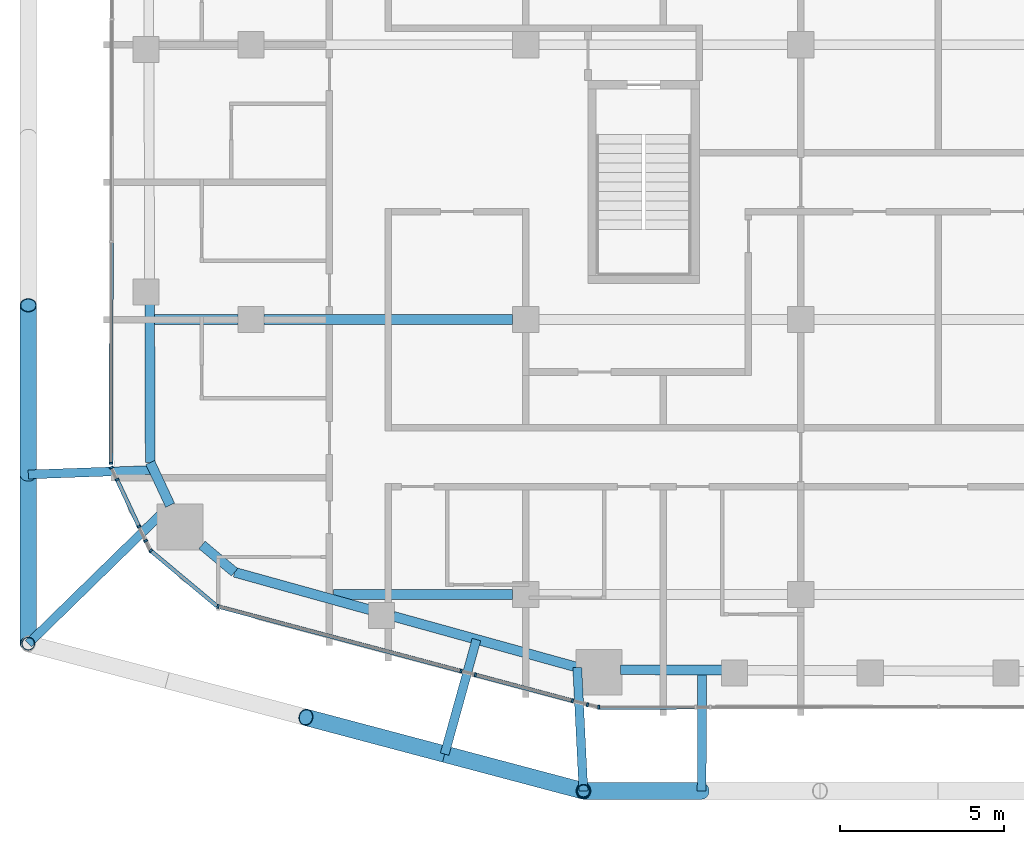
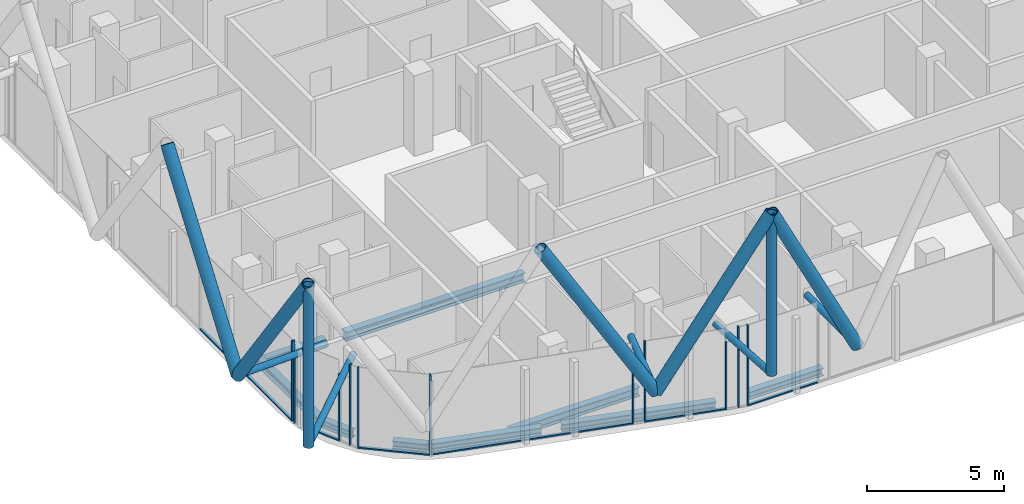
# One storey, part 2 of 31: 30 members, 9 beams, 12 elements without a shape of their own.
"""IFC4 building model written with IfcOpenShell, lengths in metres."""

import ifcopenshell
import ifcopenshell.guid

model = None  # the IFC model being written
_history = None  # IfcOwnerHistory: only IFC2X3 demands one
_inside = {}  # id of a spatial element -> (the spatial element, [elements in it])
_under = {}  # id of a project, library or spatial element -> (it, [spatial elements below it])
_declared = {}  # id of a project -> (the project, [libraries it declares])
_typed = {}  # id of a type object -> (the type object, [elements of that type])
_made_of = {}  # id of a material, layer set ... -> (it, [elements and type objects made of it])


def new_model(schema):
    """Start an empty IFC model of exactly this schema.

    Asked for "IFC4X3", IfcOpenShell would pick the latest addendum, in which some entities
    have other attributes; the version numbers below select the first issue.
    IFC2X3 requires an IfcOwnerHistory on every rooted entity: one is made here for all.
    """
    global model, _history
    if schema == "IFC4X3":
        model = ifcopenshell.file(schema_version=(4, 3, 0, 0))
    else:
        model = ifcopenshell.file(schema=schema)
    _inside.clear()
    _under.clear()
    _declared.clear()
    _typed.clear()
    _made_of.clear()
    _history = None
    if model.schema == "IFC2X3":
        org = make("IfcOrganization", Name="unknown")
        user = make(
            "IfcPersonAndOrganization",
            ThePerson=make("IfcPerson", FamilyName="unknown"),
            TheOrganization=org,
        )
        app = make(
            "IfcApplication",
            ApplicationDeveloper=org,
            Version="unknown",
            ApplicationFullName="unknown",
            ApplicationIdentifier="unknown",
        )
        _history = make(
            "IfcOwnerHistory",
            OwningUser=user,
            OwningApplication=app,
            ChangeAction="ADDED",
            CreationDate=0,
        )
    return model


def make(cls, **values):
    """One entity of the class cls with the attributes given. An attribute that is None is left unset."""
    return model.create_entity(
        cls, **{name: value for name, value in values.items() if value is not None}
    )


def rooted(cls, **values):
    """An entity with a GlobalId (a new one), such as an element, a storey or a relation."""
    return make(cls, GlobalId=ifcopenshell.guid.new(), OwnerHistory=_history, **values)


def si_unit(unit_type, name, prefix=None):
    """IfcSIUnit, for example si_unit("LENGTHUNIT", "METRE", prefix="MILLI")."""
    return make("IfcSIUnit", UnitType=unit_type, Prefix=prefix, Name=name)


def assignment(units):
    """IfcUnitAssignment: the units of a project."""
    return None if units is None else make("IfcUnitAssignment", Units=units)


def point(xyz):
    """IfcCartesianPoint."""
    return None if xyz is None else make("IfcCartesianPoint", Coordinates=xyz)


def direction(xyz):
    """IfcDirection."""
    return None if xyz is None else make("IfcDirection", DirectionRatios=xyz)


def frame(location, z_axis=None, x_axis=None):
    """IfcAxis2Placement3D, a coordinate frame: its origin and axes. An axis left out is left unset."""
    return make(
        "IfcAxis2Placement3D",
        Location=point(location),
        Axis=direction(z_axis),
        RefDirection=direction(x_axis),
    )


def frame_2d(location, x_axis=None):
    """IfcAxis2Placement2D, a coordinate frame in the plane: its origin and x axis."""
    return make(
        "IfcAxis2Placement2D", Location=point(location), RefDirection=direction(x_axis)
    )


def origin():
    """The frame at (0, 0, 0) with its axes left unset."""
    return frame((0.0, 0.0, 0.0))


def origin_2d():
    """The frame at (0, 0) in the plane with its x axis left unset."""
    return frame_2d((0.0, 0.0))


def place(relative_to, where):
    """IfcLocalPlacement: puts the frame where relative to a parent placement (None: the world)."""
    return make(
        "IfcLocalPlacement", PlacementRelTo=relative_to, RelativePlacement=where
    )


def context(
    kind, dimensions, precision=None, world=None, true_north=None, identifier=None
):
    """IfcGeometricRepresentationContext, for example the 3D "Model" context."""
    return make(
        "IfcGeometricRepresentationContext",
        ContextIdentifier=identifier,
        ContextType=kind,
        CoordinateSpaceDimension=dimensions,
        Precision=precision,
        WorldCoordinateSystem=world,
        TrueNorth=true_north,
    )


def subcontext(parent, identifier, kind, view, scale=None):
    """IfcGeometricRepresentationSubContext, for example "Body" below "Model"."""
    return make(
        "IfcGeometricRepresentationSubContext",
        ContextIdentifier=identifier,
        ContextType=kind,
        ParentContext=parent,
        TargetScale=scale,
        TargetView=view,
    )


def project(units=None, contexts=None):
    """IfcProject with its units and contexts."""
    return rooted(
        "IfcProject",
        Name="project",
        RepresentationContexts=contexts,
        UnitsInContext=assignment(units),
    )


def spatial(cls, under=None, at=None, **own):
    """A site, building, storey or space (cls), placed at a placement, below another one or the project."""
    s = rooted(cls, ObjectPlacement=at, **own)
    if under is not None:
        _under.setdefault(under.id(), (under, []))[1].append(s)
    return s


def profile(cls, at=None, kind="AREA", **sizes):
    """A parametric profile (cls). Its sizes go by their IFC names, for example OverallWidth=200.0."""
    return make(cls, ProfileType=kind, Position=at, **sizes)


def rectangle(**sizes):
    """IfcRectangleProfileDef."""
    return profile("IfcRectangleProfileDef", **sizes)


def hollow_circle(**sizes):
    """IfcCircleHollowProfileDef."""
    return profile("IfcCircleHollowProfileDef", **sizes)


def i_section(**sizes):
    """IfcIShapeProfileDef."""
    return profile("IfcIShapeProfileDef", **sizes)


def extrude(swept, where, along, depth):
    """IfcExtrudedAreaSolid: the profile swept, set in the frame where, extruded along a direction by depth."""
    return make(
        "IfcExtrudedAreaSolid",
        SweptArea=swept,
        Position=where,
        ExtrudedDirection=direction(along),
        Depth=depth,
    )


def shape(context_of_items, identifier, shape_type, items):
    """IfcShapeRepresentation: the items that make up one representation, for example the "Body"."""
    return make(
        "IfcShapeRepresentation",
        ContextOfItems=context_of_items,
        RepresentationIdentifier=identifier,
        RepresentationType=shape_type,
        Items=items,
    )


def material(Name=None, Category=None):
    """IfcMaterial."""
    return make("IfcMaterial", Name=Name, Category=Category)


def layer(
    of_material, thickness, ventilated=None, Name=None, Category=None, Priority=None
):
    """IfcMaterialLayer: one layer of a wall or slab, of a material (None: an air gap)."""
    return make(
        "IfcMaterialLayer",
        Material=of_material,
        LayerThickness=thickness,
        IsVentilated=ventilated,
        Name=Name,
        Category=Category,
        Priority=Priority,
    )


def layer_set(layers, Name=None):
    """IfcMaterialLayerSet."""
    return make("IfcMaterialLayerSet", MaterialLayers=layers, LayerSetName=Name)


def material_profile(
    of_material, cross_section, Name=None, Category=None, Priority=None
):
    """IfcMaterialProfile: a cross section and its material."""
    return make(
        "IfcMaterialProfile",
        Name=Name,
        Material=of_material,
        Profile=cross_section,
        Priority=Priority,
        Category=Category,
    )


def profile_set(profiles, Name=None, composite=None):
    """IfcMaterialProfileSet."""
    return make(
        "IfcMaterialProfileSet",
        Name=Name,
        MaterialProfiles=profiles,
        CompositeProfile=composite,
    )


def made_of(thing, what):
    """Note that an element or type object is made of a material, layer set ...; save() writes the relation."""
    if what is not None:
        _made_of.setdefault(what.id(), (what, []))[1].append(thing)
    return thing


def type_object(cls, material=None, **own):
    """A type object (cls), such as IfcWallType, which elements share."""
    return made_of(rooted(cls, **own), material)


def element(
    cls,
    number,
    at=None,
    inside=None,
    cuts=None,
    type_object=None,
    material=None,
    context=None,
    identifier="Body",
    shape_type=None,
    held_by="IfcProductDefinitionShape",
    body=None,
    shapes=None,
    **own,
):
    """One element of the class cls, such as IfcWall. Its Tag is "e" and its number.

    at: its placement. inside: the storey or other place that contains it. cuts: it is an
    opening in that element (IfcRelVoidsElement). A single representation is given by context,
    identifier, shape_type and body (its items); several are given by shapes. held_by: the class
    of the entity that holds the representations. save() writes the other relations.
    """
    e = rooted(cls, Tag="e%d" % number, ObjectPlacement=at, **own)
    if body is not None:
        shapes = [shape(context, identifier, shape_type, body)]
    if shapes is not None:
        e.Representation = make(held_by, Representations=shapes)
    if inside is not None:
        _inside.setdefault(inside.id(), (inside, []))[1].append(e)
    if cuts is not None:
        rooted(
            "IfcRelVoidsElement", RelatingBuildingElement=cuts, RelatedOpeningElement=e
        )
    if type_object is not None:
        _typed.setdefault(type_object.id(), (type_object, []))[1].append(e)
    return made_of(e, material)


def aggregate(whole, parts):
    """IfcRelAggregates: a whole, such as a stair, and the parts it consists of."""
    return rooted("IfcRelAggregates", RelatingObject=whole, RelatedObjects=parts)


def save(model, path):
    """Write the relations noted so far, then the file.

    IfcRelAggregates (storeys below a building ...), IfcRelContainedInSpatialStructure (elements
    in a storey), IfcRelDefinesByType, IfcRelAssociatesMaterial and IfcRelDeclares: one each for
    every whole, place, type object, material and project.
    """
    for whole, parts in _under.values():
        aggregate(whole, parts)
    for where, things in _inside.values():
        rooted(
            "IfcRelContainedInSpatialStructure",
            RelatedElements=things,
            RelatingStructure=where,
        )
    for kind, things in _typed.values():
        rooted("IfcRelDefinesByType", RelatedObjects=things, RelatingType=kind)
    for what, things in _made_of.values():
        rooted("IfcRelAssociatesMaterial", RelatedObjects=things, RelatingMaterial=what)
    for by, libraries in _declared.values():
        rooted("IfcRelDeclares", RelatingContext=by, RelatedDefinitions=libraries)
    model.write(path)


model = new_model("IFC4")

# Units and contexts
model_context = context("Model", 3, precision=1e-05, world=origin(), true_north=direction((0.0, 1.0)))
body_context = subcontext(model_context, "Body", "Model", "MODEL_VIEW")
ifc_project = project(units=[si_unit("LENGTHUNIT", "METRE"), si_unit("AREAUNIT", "SQUARE_METRE"), si_unit("VOLUMEUNIT", "CUBIC_METRE"), si_unit("PLANEANGLEUNIT", "RADIAN"), si_unit("MASSUNIT", "GRAM", prefix="KILO")], contexts=[model_context])

# Site, building, storey
site_placement = place(None, origin())
site = spatial("IfcSite", under=ifc_project, at=site_placement, CompositionType="ELEMENT")
building_placement = place(site_placement, origin())
building = spatial("IfcBuilding", under=site, at=building_placement, Name="Marenta Gate Hotel Tower", CompositionType="ELEMENT")
storey_placement = place(building_placement, frame((0.0, 0.0, 191.300048828125)))
storey = spatial("IfcBuildingStorey", under=building, at=storey_placement, Name="L43", CompositionType="ELEMENT", Elevation=191.300048828125)

# Members
ifc_material_1 = material(Name="Steel S355J2W", Category="steel")
ifc_material_profile_1 = material_profile(ifc_material_1, hollow_circle(Radius=0.203125, WallThickness=0.02490234375, at=origin_2d()), Name="CHS 406.4x25")
ifc_profile_set_1 = profile_set([ifc_material_profile_1], Name="Steel S355J2W")
member_type_1 = type_object("IfcMemberType", Name="Diagrid corner post Z3 CHS 406.4x25", PredefinedType="POST", material=ifc_profile_set_1)
for number, where, z_axis, x_axis, name in (
    (1, (-10.839111328125, -31.199951171875, 3.139892578125), (0.0, 0.0, 1.0), (1.0, 0.0, 0.0), "L43-DR-4"),
    (2, (-27.800048828125, -26.7001953125, 3.139892578125), (0.0, 0.0, 1.0), (1.0, 0.0, 0.0), "L43-DR-5"),
):
    element("IfcMember", number, at=place(storey_placement, frame(where, z_axis=z_axis, x_axis=x_axis)), inside=storey, type_object=member_type_1, Name=name, PredefinedType="POST", context=body_context, shape_type="SweptSolid", body=[
        extrude(hollow_circle(Radius=0.203125, WallThickness=0.02490234375, at=origin_2d()), origin(), (0.0, 0.0, 1.0), 7.199951171875),
    ])
ifc_material_2 = material(Name="Steel S355J2W", Category="steel")
ifc_material_profile_2 = material_profile(ifc_material_2, hollow_circle(Radius=0.25390625, WallThickness=0.02490234375, at=origin_2d()), Name="CHS 508x25")
ifc_profile_set_2 = profile_set([ifc_material_profile_2], Name="Steel S355J2W")
member_type_2 = type_object("IfcMemberType", Name="Diagrid diagonal Z3 CHS 508x25", PredefinedType="BRACE", material=ifc_profile_set_2)
member_1_placement = place(storey_placement, frame((-7.22607421875, -31.199951171875, 3.139892578125), z_axis=(-0.44851025603, 0.0, 0.893777685018), x_axis=(0.0, -1.0, 0.0)))
element("IfcMember", 3, at=member_1_placement, inside=storey, type_object=member_type_2, Name="L43-DG-20", PredefinedType="BRACE", context=body_context, shape_type="SweptSolid", body=[
    extrude(hollow_circle(Radius=0.25390625, WallThickness=0.02490234375, at=origin_2d()), origin(), (0.0, 0.0, 1.0), 8.0556640625),
])
for number, where, z_axis, x_axis, name in (
    (4, (-15.079345703125, -30.074951171875, 3.139892578125), (0.502924018666, -0.133433548941, 0.853968921838), (0.256443187528, 0.96655930577, 0.0), "L43-DG-21"),
    (5, (-15.079345703125, -30.074951171875, 3.139892578125), (-0.502925961678, 0.133405107407, 0.853972221087), (-0.256391194513, -0.966573098827, 0.0), "L43-DG-22"),
):
    element("IfcMember", number, at=place(storey_placement, frame(where, z_axis=z_axis, x_axis=x_axis)), inside=storey, type_object=member_type_2, Name=name, PredefinedType="BRACE", context=body_context, shape_type="SweptSolid", body=[
        extrude(hollow_circle(Radius=0.25390625, WallThickness=0.02490234375, at=origin_2d()), origin(), (0.0, 0.0, 1.0), 8.43115234375),
    ])
member_2_placement = place(storey_placement, frame((-27.800048828125, -21.530029296875, 3.139892578125), z_axis=(0.0, -0.583279014058, 0.812271870595), x_axis=(1.0, 0.0, 0.0)))
element("IfcMember", 6, at=member_2_placement, inside=storey, type_object=member_type_2, Name="L43-DG-25", PredefinedType="BRACE", context=body_context, shape_type="SweptSolid", body=[
    extrude(hollow_circle(Radius=0.25390625, WallThickness=0.02490234375, at=origin_2d()), origin(), (0.0, 0.0, 1.0), 8.864013671875),
])
member_3_placement = place(storey_placement, frame((-27.800048828125, -21.530029296875, 3.139892578125), z_axis=(0.0, 0.583260841117, 0.812284919975), x_axis=(-1.0, 0.0, 0.0)))
element("IfcMember", 7, at=member_3_placement, inside=storey, type_object=member_type_2, Name="L43-DG-26", PredefinedType="BRACE", context=body_context, shape_type="SweptSolid", body=[
    extrude(hollow_circle(Radius=0.25390625, WallThickness=0.02490234375, at=origin_2d()), origin(), (0.0, 0.0, 1.0), 8.86376953125),
])

# Beams
ifc_material_3 = material(Name="Steel S355", Category="steel")
ifc_material_profile_3 = material_profile(ifc_material_3, i_section(OverallWidth=0.300048828125, OverallDepth=0.340087890625, WebThickness=0.011962890625, FlangeThickness=0.021484375, FilletRadius=0.027099609375, at=origin_2d()), Name="HEB 340")
ifc_profile_set_3 = profile_set([ifc_material_profile_3], Name="Steel S355")
beam_type_1 = type_object("IfcBeamType", Name="Edge beam HEB 340", PredefinedType="SPANDREL", material=ifc_profile_set_3)
beam_1_placement = place(storey_placement, frame((-11.02783203125, -27.42236328125, -0.429931640625), z_axis=(-0.963619240724, 0.267278803699, 0.0), x_axis=(-0.267278803699, -0.963619240724, 0.0)))
element("IfcBeam", 8, at=beam_1_placement, inside=storey, type_object=beam_type_1, Name="L43-EB-1", PredefinedType="SPANDREL", context=body_context, shape_type="SweptSolid", body=[
    extrude(i_section(OverallWidth=0.300048828125, OverallDepth=0.340087890625, WebThickness=0.011962890625, FlangeThickness=0.021484375, FilletRadius=0.027099609375, at=origin_2d()), origin(), (0.0, 0.0, 1.0), 5.82958984375),
])
beam_2_placement = place(storey_placement, frame((-17.3681640625, -25.663818359375, -0.429931640625), z_axis=(-0.963628037304, 0.267247087396, 0.0), x_axis=(-0.267247087396, -0.963628037304, 0.0)))
element("IfcBeam", 9, at=beam_2_placement, inside=storey, type_object=beam_type_1, Name="L43-EB-2", PredefinedType="SPANDREL", context=body_context, shape_type="SweptSolid", body=[
    extrude(i_section(OverallWidth=0.300048828125, OverallDepth=0.340087890625, WebThickness=0.011962890625, FlangeThickness=0.021484375, FilletRadius=0.027099609375, at=origin_2d()), origin(), (0.0, 0.0, 1.0), 4.284423828125),
])
beam_3_placement = place(storey_placement, frame((-21.496826171875, -24.518798828125, -0.429931640625), z_axis=(-0.767065103149, 0.641569269472, 0.0), x_axis=(-0.641569269472, -0.767065103149, 0.0)))
element("IfcBeam", 10, at=beam_3_placement, inside=storey, type_object=beam_type_1, Name="L43-EB-3", PredefinedType="SPANDREL", context=body_context, shape_type="SweptSolid", body=[
    extrude(i_section(OverallWidth=0.300048828125, OverallDepth=0.340087890625, WebThickness=0.011962890625, FlangeThickness=0.021484375, FilletRadius=0.027099609375, at=origin_2d()), origin(), (0.0, 0.0, 1.0), 1.299560546875),
])
beam_4_placement = place(storey_placement, frame((-23.466796875, -22.46923828125, -0.429931640625), z_axis=(-0.423341112024, 0.905970365338, 0.0), x_axis=(-0.905970365338, -0.423341112024, 0.0)))
element("IfcBeam", 11, at=beam_4_placement, inside=storey, type_object=beam_type_1, Name="L43-EB-4", PredefinedType="SPANDREL", context=body_context, shape_type="SweptSolid", body=[
    extrude(i_section(OverallWidth=0.300048828125, OverallDepth=0.340087890625, WebThickness=0.011962890625, FlangeThickness=0.021484375, FilletRadius=0.027099609375, at=origin_2d()), origin(), (0.0, 0.0, 1.0), 1.437255859375),
])
beam_5_placement = place(storey_placement, frame((-24.0751953125, -21.167236328125, -0.429931640625), z_axis=(-0.003318732666, 0.999994492992, 0.0), x_axis=(-0.999994492992, -0.003318732666, 0.0)))
element("IfcBeam", 12, at=beam_5_placement, inside=storey, type_object=beam_type_1, Name="L43-EB-5", PredefinedType="SPANDREL", context=body_context, shape_type="SweptSolid", body=[
    extrude(i_section(OverallWidth=0.300048828125, OverallDepth=0.340087890625, WebThickness=0.011962890625, FlangeThickness=0.021484375, FilletRadius=0.027099609375, at=origin_2d()), origin(), (0.0, 0.0, 1.0), 4.855224609375),
])
beam_6_placement = place(storey_placement, frame((-6.580078125, -27.507568359375, -0.429931640625), z_axis=(-0.99999237665, 0.00390469495, 0.0), x_axis=(-0.00390469495, -0.99999237665, 0.0)))
element("IfcBeam", 13, at=beam_6_placement, inside=storey, type_object=beam_type_1, Name="L43-EB-36", PredefinedType="SPANDREL", context=body_context, shape_type="SweptSolid", body=[
    extrude(i_section(OverallWidth=0.300048828125, OverallDepth=0.340087890625, WebThickness=0.011962890625, FlangeThickness=0.021484375, FilletRadius=0.027099609375, at=origin_2d()), origin(), (0.0, 0.0, 1.0), 3.126220703125),
])

# Members
ifc_material_4 = material(Name="Steel S355J2W", Category="steel")
ifc_material_profile_4 = material_profile(ifc_material_4, hollow_circle(Radius=0.136474609375, WallThickness=0.012451171875, at=origin_2d()), Name="CHS 273x12.5")
ifc_profile_set_4 = profile_set([ifc_material_profile_4], Name="Steel S355J2W")
member_type_3 = type_object("IfcMemberType", Name="Floor tie CHS 273x12.5", PredefinedType="STRUT", material=ifc_profile_set_4)
member_4_placement = place(storey_placement, frame((-7.22607421875, -31.199951171875, 3.139892578125), z_axis=(0.00383848926, 0.999992632973, 0.0), x_axis=(-0.999992632973, 0.00383848926, 0.0)))
element("IfcMember", 14, at=member_4_placement, inside=storey, type_object=member_type_3, Name="L43-DR-15", PredefinedType="STRUT", context=body_context, shape_type="SweptSolid", body=[
    extrude(hollow_circle(Radius=0.136474609375, WallThickness=0.012451171875, at=origin_2d()), origin(), (0.0, 0.0, 1.0), 3.68896484375),
])
member_5_placement = place(storey_placement, frame((-10.839111328125, -31.199951171875, 3.139892578125), z_axis=(-0.049850547476, 0.998756688546, 0.0), x_axis=(-0.998756688546, -0.049850547476, 0.0)))
element("IfcMember", 15, at=member_5_placement, inside=storey, type_object=member_type_3, Name="L43-DR-16", PredefinedType="STRUT", context=body_context, shape_type="SweptSolid", body=[
    extrude(hollow_circle(Radius=0.136474609375, WallThickness=0.012451171875, at=origin_2d()), origin(), (0.0, 0.0, 1.0), 3.77587890625),
])
member_6_placement = place(storey_placement, frame((-15.079345703125, -30.074951171875, 3.139892578125), z_axis=(0.267266043372, 0.963622779961, 0.0), x_axis=(-0.963622779961, 0.267266043372, 0.0)))
element("IfcMember", 16, at=member_6_placement, inside=storey, type_object=member_type_3, Name="L43-DR-17", PredefinedType="STRUT", context=body_context, shape_type="SweptSolid", body=[
    extrude(hollow_circle(Radius=0.136474609375, WallThickness=0.012451171875, at=origin_2d()), origin(), (0.0, 0.0, 1.0), 3.6328125),
])
member_7_placement = place(storey_placement, frame((-27.800048828125, -26.7001953125, 3.139892578125), z_axis=(0.715510328178, 0.698602154499, 0.0), x_axis=(-0.698602154499, 0.715510328178, 0.0)))
element("IfcMember", 17, at=member_7_placement, inside=storey, type_object=member_type_3, Name="L43-DR-18", PredefinedType="STRUT", context=body_context, shape_type="SweptSolid", body=[
    extrude(hollow_circle(Radius=0.136474609375, WallThickness=0.012451171875, at=origin_2d()), origin(), (0.0, 0.0, 1.0), 6.050048828125),
])
member_8_placement = place(storey_placement, frame((-27.800048828125, -21.530029296875, 3.139892578125), z_axis=(0.999366101167, 0.035600503349, 0.0), x_axis=(-0.035600503349, 0.999366101167, 0.0)))
element("IfcMember", 18, at=member_8_placement, inside=storey, type_object=member_type_3, Name="L43-DR-19", PredefinedType="STRUT", context=body_context, shape_type="SweptSolid", body=[
    extrude(hollow_circle(Radius=0.136474609375, WallThickness=0.012451171875, at=origin_2d()), origin(), (0.0, 0.0, 1.0), 3.82666015625),
])

# Beams
ifc_material_5 = material(Name="Steel S355", Category="steel")
ifc_material_profile_5 = material_profile(ifc_material_5, i_section(OverallWidth=0.300048828125, OverallDepth=0.39990234375, WebThickness=0.013427734375, FlangeThickness=0.02392578125, FilletRadius=0.027099609375, at=origin_2d()), Name="HEB 400")
ifc_profile_set_5 = profile_set([ifc_material_profile_5], Name="Steel S355")
beam_type_2 = type_object("IfcBeamType", Name="Girder HEB 400", PredefinedType="BEAM", material=ifc_profile_set_5)
beam_7_placement = place(storey_placement, frame((-18.479248046875, -25.199951171875, -0.4599609375), z_axis=(1.0, 0.0, 0.0), x_axis=(0.0, 1.0, 0.0)))
element("IfcBeam", 19, at=beam_7_placement, inside=storey, type_object=beam_type_2, Name="L43-GD-1", PredefinedType="BEAM", context=body_context, shape_type="SweptSolid", body=[
    extrude(i_section(OverallWidth=0.300048828125, OverallDepth=0.39990234375, WebThickness=0.013427734375, FlangeThickness=0.02392578125, FilletRadius=0.027099609375, at=origin_2d()), origin(), (0.0, 0.0, 1.0), 5.479248046875),
])
beam_8_placement = place(storey_placement, frame((-23.939697265625, -16.800048828125, -0.4599609375), z_axis=(1.0, 0.0, 0.0), x_axis=(0.0, 1.0, 0.0)))
element("IfcBeam", 20, at=beam_8_placement, inside=storey, type_object=beam_type_2, Name="L43-GD-6", PredefinedType="BEAM", context=body_context, shape_type="SweptSolid", body=[
    extrude(i_section(OverallWidth=0.300048828125, OverallDepth=0.39990234375, WebThickness=0.013427734375, FlangeThickness=0.02392578125, FilletRadius=0.027099609375, at=origin_2d()), origin(), (0.0, 0.0, 1.0), 2.539794921875),
])
beam_9_placement = place(storey_placement, frame((-20.60009765625, -16.800048828125, -0.4599609375), z_axis=(1.0, 0.0, 0.0), x_axis=(0.0, 1.0, 0.0)))
element("IfcBeam", 21, at=beam_9_placement, inside=storey, type_object=beam_type_2, Name="L43-GD-7", PredefinedType="BEAM", context=body_context, shape_type="SweptSolid", body=[
    extrude(i_section(OverallWidth=0.300048828125, OverallDepth=0.39990234375, WebThickness=0.013427734375, FlangeThickness=0.02392578125, FilletRadius=0.027099609375, at=origin_2d()), origin(), (0.0, 0.0, 1.0), 7.60009765625),
])

# Curtain wall, member
ifc_material_6 = material(Name="Tinted insulated glass in bronze anodised frame", Category="glass")
ifc_layer = layer(ifc_material_6, 0.1201171875)
ifc_layer_set = layer_set([ifc_layer], Name="Tinted insulated glass in bronze anodised frame")
curtain_wall_type = type_object("IfcCurtainWallType", Name="Tower unitised curtain wall CW1", PredefinedType="NOTDEFINED", material=ifc_layer_set)
curtain_wall_1_placement = place(storey_placement, origin())
curtain_wall_1 = element("IfcCurtainWall", 22, at=curtain_wall_1_placement, inside=storey, type_object=curtain_wall_type, Name="CW1 run G08", PredefinedType="NOTDEFINED")
ifc_material_7 = material(Name="Bronze anodised aluminium", Category="aluminium")
ifc_material_profile_6 = material_profile(ifc_material_7, rectangle(XDim=0.1201171875, YDim=0.06005859375, at=origin_2d()), Name="Mullion CW1 60x120 bronze anodised aluminium")
ifc_profile_set_6 = profile_set([ifc_material_profile_6], Name="Bronze anodised aluminium")
member_type_4 = type_object("IfcMemberType", Name="Mullion CW1 60x120 bronze anodised aluminium", PredefinedType="MULLION", material=ifc_profile_set_6)
member_9_placement = place(storey_placement, frame((-25.27294921875, -21.18359375, 0.0), z_axis=(0.0, 0.0, 1.0), x_axis=(0.999998775932, -0.001564651623, 0.0)))
member_9 = element("IfcMember", 23, at=member_9_placement, type_object=member_type_4, Name="CW1 mullion 4", PredefinedType="MULLION", context=body_context, shape_type="SweptSolid", body=[
    extrude(rectangle(XDim=0.1201171875, YDim=0.06005859375, at=origin_2d()), origin(), (0.0, 0.0, 1.0), 3.599853515625),
])

curtain_wall_2_placement = place(storey_placement, origin())
curtain_wall_2 = element("IfcCurtainWall", 24, at=curtain_wall_2_placement, inside=storey, type_object=curtain_wall_type, Name="CW1 run G09", PredefinedType="NOTDEFINED")
member_10_placement = place(storey_placement, frame((-25.26025390625, -21.321044921875, 0.0), z_axis=(0.0, 0.0, 1.0), x_axis=(0.905968482447, 0.423345141478, 0.0)))
member_10 = element("IfcMember", 25, at=member_10_placement, type_object=member_type_4, Name="CW1 mullion 1", PredefinedType="MULLION", context=body_context, shape_type="SweptSolid", body=[
    extrude(rectangle(XDim=0.1201171875, YDim=0.06005859375, at=origin_2d()), origin(), (0.0, 0.0, 1.0), 3.00048828125),
])
aggregate(curtain_wall_2, [member_10])

curtain_wall_3_placement = place(storey_placement, origin())
curtain_wall_3 = element("IfcCurtainWall", 26, at=curtain_wall_3_placement, inside=storey, type_object=curtain_wall_type, Name="CW1 run G10", PredefinedType="NOTDEFINED")
member_11_placement = place(storey_placement, frame((-25.0888671875, -21.687744140625, 0.0), z_axis=(0.0, 0.0, 1.0), x_axis=(0.905976448707, 0.423328093078, 0.0)))
member_11 = element("IfcMember", 27, at=member_11_placement, type_object=member_type_4, Name="CW1 mullion 1", PredefinedType="MULLION", context=body_context, shape_type="SweptSolid", body=[
    extrude(rectangle(XDim=0.1201171875, YDim=0.06005859375, at=origin_2d()), origin(), (0.0, 0.0, 1.0), 3.599853515625),
])

curtain_wall_4_placement = place(storey_placement, origin())
curtain_wall_4 = element("IfcCurtainWall", 28, at=curtain_wall_4_placement, inside=storey, type_object=curtain_wall_type, Name="CW1 run G11", PredefinedType="NOTDEFINED")
member_12_placement = place(storey_placement, frame((-24.418701171875, -23.121826171875, 0.0), z_axis=(0.0, 0.0, 1.0), x_axis=(0.905948786251, 0.423387289241, 0.0)))
member_12 = element("IfcMember", 29, at=member_12_placement, type_object=member_type_4, Name="CW1 mullion 1", PredefinedType="MULLION", context=body_context, shape_type="SweptSolid", body=[
    extrude(rectangle(XDim=0.1201171875, YDim=0.06005859375, at=origin_2d()), origin(), (0.0, 0.0, 1.0), 3.00048828125),
])
aggregate(curtain_wall_4, [member_12])

curtain_wall_5_placement = place(storey_placement, origin())
curtain_wall_5 = element("IfcCurtainWall", 30, at=curtain_wall_5_placement, inside=storey, type_object=curtain_wall_type, Name="CW1 run G12", PredefinedType="NOTDEFINED")
member_13_placement = place(storey_placement, frame((-24.215576171875, -23.556640625, 0.0), z_axis=(0.0, 0.0, 1.0), x_axis=(0.905989668401, 0.423299800084, 0.0)))
member_13 = element("IfcMember", 31, at=member_13_placement, type_object=member_type_4, Name="CW1 mullion 1", PredefinedType="MULLION", context=body_context, shape_type="SweptSolid", body=[
    extrude(rectangle(XDim=0.1201171875, YDim=0.06005859375, at=origin_2d()), origin(), (0.0, 0.0, 1.0), 3.599853515625),
])
aggregate(curtain_wall_5, [member_13])

curtain_wall_6_placement = place(storey_placement, origin())
curtain_wall_6 = element("IfcCurtainWall", 32, at=curtain_wall_6_placement, inside=storey, type_object=curtain_wall_type, Name="CW1 run G13", PredefinedType="NOTDEFINED")
member_14_placement = place(storey_placement, frame((-24.059814453125, -23.85986328125, 0.0), z_axis=(0.0, 0.0, 1.0), x_axis=(0.641524739495, 0.767102345594, 0.0)))
member_14 = element("IfcMember", 33, at=member_14_placement, type_object=member_type_4, Name="CW1 mullion 1", PredefinedType="MULLION", context=body_context, shape_type="SweptSolid", body=[
    extrude(rectangle(XDim=0.1201171875, YDim=0.06005859375, at=origin_2d()), origin(), (0.0, 0.0, 1.0), 3.599853515625),
])

curtain_wall_7_placement = place(storey_placement, origin())
curtain_wall_7 = element("IfcCurtainWall", 34, at=curtain_wall_7_placement, inside=storey, type_object=curtain_wall_type, Name="CW1 run G14", PredefinedType="NOTDEFINED")
member_15_placement = place(storey_placement, frame((-22.00634765625, -25.560791015625, 0.0), z_axis=(0.0, 0.0, 1.0), x_axis=(0.257136207427, 0.966375170847, 0.0)))
member_15 = element("IfcMember", 35, at=member_15_placement, type_object=member_type_4, Name="CW1 mullion 1", PredefinedType="MULLION", context=body_context, shape_type="SweptSolid", body=[
    extrude(rectangle(XDim=0.1201171875, YDim=0.06005859375, at=origin_2d()), origin(), (0.0, 0.0, 1.0), 3.599853515625),
])

curtain_wall_8_placement = place(storey_placement, origin())
curtain_wall_8 = element("IfcCurtainWall", 36, at=curtain_wall_8_placement, inside=storey, type_object=curtain_wall_type, Name="CW1 run G15", PredefinedType="NOTDEFINED")
member_16_placement = place(storey_placement, frame((-14.579345703125, -27.537109375, 0.0), z_axis=(0.0, 0.0, 1.0), x_axis=(0.257154287199, 0.966370359942, 0.0)))
member_16 = element("IfcMember", 37, at=member_16_placement, type_object=member_type_4, Name="CW1 mullion 1", PredefinedType="MULLION", context=body_context, shape_type="SweptSolid", body=[
    extrude(rectangle(XDim=0.1201171875, YDim=0.06005859375, at=origin_2d()), origin(), (0.0, 0.0, 1.0), 3.00048828125),
])
aggregate(curtain_wall_8, [member_16])

curtain_wall_9_placement = place(storey_placement, origin())
curtain_wall_9 = element("IfcCurtainWall", 38, at=curtain_wall_9_placement, inside=storey, type_object=curtain_wall_type, Name="CW1 run G16", PredefinedType="NOTDEFINED")
member_17_placement = place(storey_placement, frame((-14.1416015625, -27.653564453125, 0.0), z_axis=(0.0, 0.0, 1.0), x_axis=(0.257117208999, 0.96638022581, 0.0)))
member_17 = element("IfcMember", 39, at=member_17_placement, type_object=member_type_4, Name="CW1 mullion 1", PredefinedType="MULLION", context=body_context, shape_type="SweptSolid", body=[
    extrude(rectangle(XDim=0.1201171875, YDim=0.06005859375, at=origin_2d()), origin(), (0.0, 0.0, 1.0), 3.599853515625),
])

curtain_wall_10_placement = place(storey_placement, origin())
curtain_wall_10 = element("IfcCurtainWall", 40, at=curtain_wall_10_placement, inside=storey, type_object=curtain_wall_type, Name="CW1 run G17", PredefinedType="NOTDEFINED")
member_18_placement = place(storey_placement, frame((-11.1748046875, -28.44287109375, 0.0), z_axis=(0.0, 0.0, 1.0), x_axis=(0.257099982864, 0.966384808868, 0.0)))
member_18 = element("IfcMember", 41, at=member_18_placement, type_object=member_type_4, Name="CW1 mullion 1", PredefinedType="MULLION", context=body_context, shape_type="SweptSolid", body=[
    extrude(rectangle(XDim=0.1201171875, YDim=0.06005859375, at=origin_2d()), origin(), (0.0, 0.0, 1.0), 3.00048828125),
])
aggregate(curtain_wall_10, [member_18])

curtain_wall_11_placement = place(storey_placement, origin())
curtain_wall_11 = element("IfcCurtainWall", 42, at=curtain_wall_11_placement, inside=storey, type_object=curtain_wall_type, Name="CW1 run G18", PredefinedType="NOTDEFINED")
member_19_placement = place(storey_placement, frame((-10.71533203125, -28.565185546875, 0.0), z_axis=(0.0, 0.0, 1.0), x_axis=(0.257431460974, 0.966296560535, 0.0)))
member_19 = element("IfcMember", 43, at=member_19_placement, type_object=member_type_4, Name="CW1 mullion 1", PredefinedType="MULLION", context=body_context, shape_type="SweptSolid", body=[
    extrude(rectangle(XDim=0.1201171875, YDim=0.06005859375, at=origin_2d()), origin(), (0.0, 0.0, 1.0), 3.599853515625),
])
aggregate(curtain_wall_11, [member_19])

curtain_wall_12_placement = place(storey_placement, origin())
curtain_wall_12 = element("IfcCurtainWall", 44, at=curtain_wall_12_placement, inside=storey, type_object=curtain_wall_type, Name="CW1 run G19", PredefinedType="NOTDEFINED")
member_20_placement = place(storey_placement, frame((-10.3759765625, -28.6474609375, 0.0), z_axis=(0.0, 0.0, 1.0), x_axis=(-0.001653559645, 0.999998632869, 0.0)))
member_20 = element("IfcMember", 45, at=member_20_placement, type_object=member_type_4, Name="CW1 mullion 1", PredefinedType="MULLION", context=body_context, shape_type="SweptSolid", body=[
    extrude(rectangle(XDim=0.1201171875, YDim=0.06005859375, at=origin_2d()), origin(), (0.0, 0.0, 1.0), 3.599853515625),
])

# Member
ifc_material_8 = material(Name="Bronze anodised aluminium", Category="aluminium")
ifc_material_profile_7 = material_profile(ifc_material_8, rectangle(XDim=0.1201171875, YDim=0.06005859375, at=origin_2d()), Name="Transom CW1 60x120 bronze anodised aluminium")
ifc_profile_set_7 = profile_set([ifc_material_profile_7], Name="Bronze anodised aluminium")
member_type_5 = type_object("IfcMemberType", Name="Transom CW1 60x120 bronze anodised aluminium", PredefinedType="USERDEFINED", material=ifc_profile_set_7)
member_21_placement = place(storey_placement, frame((-25.26220703125, -14.447509765625, 0.030029296875), z_axis=(-0.001565456069, -0.999998774673, 0.0), x_axis=(0.999998774673, -0.001565456069, 0.0)))
member_21 = element("IfcMember", 46, at=member_21_placement, type_object=member_type_5, Name="CW1 transom 3.1", ObjectType="TRANSOM", PredefinedType="USERDEFINED", context=body_context, shape_type="SweptSolid", body=[
    extrude(rectangle(XDim=0.1201171875, YDim=0.06005859375, at=origin_2d()), origin(), (0.0, 0.0, 1.0), 6.7060546875),
])

aggregate(curtain_wall_1, [member_9, member_21])

member_22_placement = place(storey_placement, frame((-25.076171875, -21.71484375, 0.030029296875), z_axis=(0.423332946219, -0.905974181004, 0.0), x_axis=(0.905974181004, 0.423332946219, 0.0)))
member_22 = element("IfcMember", 47, at=member_22_placement, type_object=member_type_5, Name="CW1 transom 1.1", ObjectType="TRANSOM", PredefinedType="USERDEFINED", context=body_context, shape_type="SweptSolid", body=[
    extrude(rectangle(XDim=0.1201171875, YDim=0.06005859375, at=origin_2d()), origin(), (0.0, 0.0, 1.0), 1.523193359375),
])

aggregate(curtain_wall_3, [member_11, member_22])

member_23_placement = place(storey_placement, frame((-24.036865234375, -23.879150390625, 0.030029296875), z_axis=(0.767100312603, -0.641527170433, 0.0), x_axis=(0.641527170433, 0.767100312603, 0.0)))
member_23 = element("IfcMember", 48, at=member_23_placement, type_object=member_type_5, Name="CW1 transom 1.1", ObjectType="TRANSOM", PredefinedType="USERDEFINED", context=body_context, shape_type="SweptSolid", body=[
    extrude(rectangle(XDim=0.1201171875, YDim=0.06005859375, at=origin_2d()), origin(), (0.0, 0.0, 1.0), 2.609130859375),
])

aggregate(curtain_wall_6, [member_14, member_23])

member_24_placement = place(storey_placement, frame((-21.977294921875, -25.568603515625, 0.030029296875), z_axis=(0.966376678681, -0.257130540585, 0.0), x_axis=(0.257130540585, 0.966376678681, 0.0)))
member_24 = element("IfcMember", 49, at=member_24_placement, type_object=member_type_5, Name="CW1 transom 1.1", ObjectType="TRANSOM", PredefinedType="USERDEFINED", context=body_context, shape_type="SweptSolid", body=[
    extrude(rectangle(XDim=0.1201171875, YDim=0.06005859375, at=origin_2d()), origin(), (0.0, 0.0, 1.0), 7.625244140625),
])

aggregate(curtain_wall_7, [member_15, member_24])

member_25_placement = place(storey_placement, frame((-14.112548828125, -27.6611328125, 0.030029296875), z_axis=(0.966377496027, -0.257127468726, 0.0), x_axis=(0.257127468726, 0.966377496027, 0.0)))
member_25 = element("IfcMember", 50, at=member_25_placement, type_object=member_type_5, Name="CW1 transom 1.1", ObjectType="TRANSOM", PredefinedType="USERDEFINED", context=body_context, shape_type="SweptSolid", body=[
    extrude(rectangle(XDim=0.1201171875, YDim=0.06005859375, at=origin_2d()), origin(), (0.0, 0.0, 1.0), 3.010009765625),
])

aggregate(curtain_wall_9, [member_17, member_25])

member_26_placement = place(storey_placement, frame((-10.345947265625, -28.6474609375, 0.030029296875), z_axis=(0.999998585773, 0.001681800514, 0.0), x_axis=(-0.001681800514, 0.999998585773, 0.0)))
member_26 = element("IfcMember", 51, at=member_26_placement, type_object=member_type_5, Name="CW1 transom 1.1", ObjectType="TRANSOM", PredefinedType="USERDEFINED", context=body_context, shape_type="SweptSolid", body=[
    extrude(rectangle(XDim=0.1201171875, YDim=0.06005859375, at=origin_2d()), origin(), (0.0, 0.0, 1.0), 2.9033203125),
])

aggregate(curtain_wall_12, [member_20, member_26])

save(model, "model.ifc")
